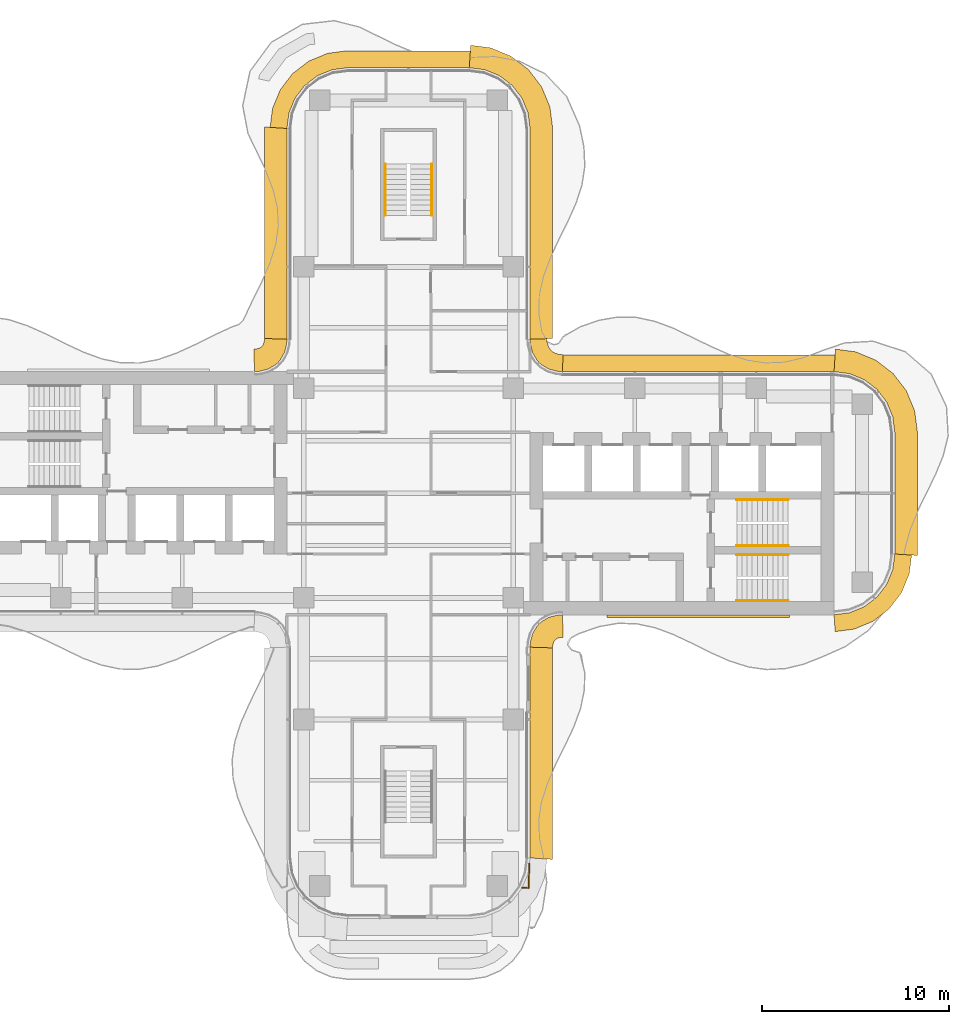
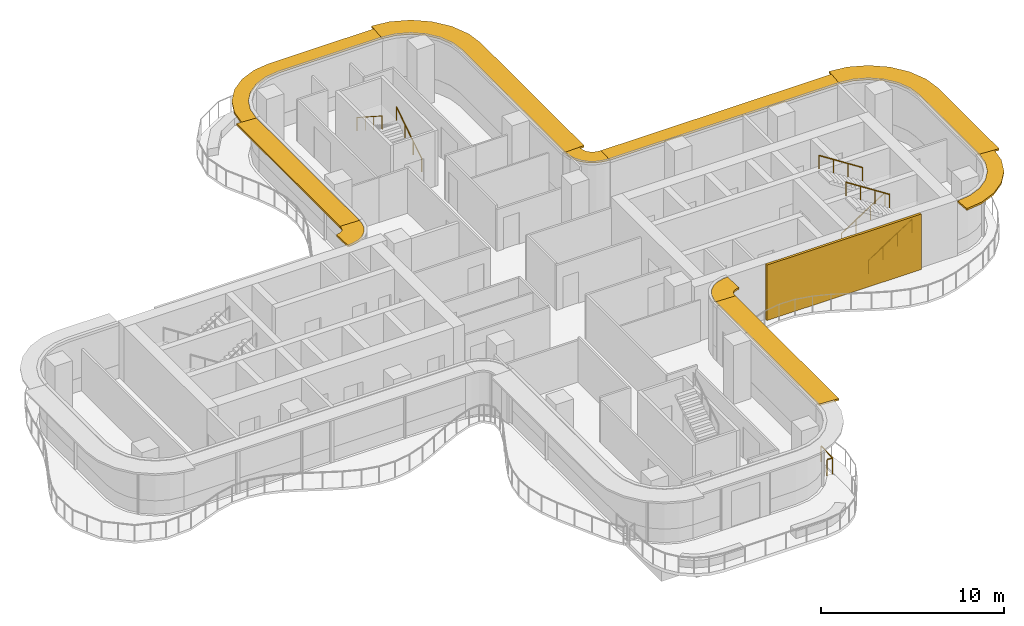
# One storey, part 17 of 17: 10 shading devices, 7 railings, 1 covering.
"""IFC4 building model written with IfcOpenShell, lengths in metres."""

from ifc_helpers import new_model, si_unit, direction, frame, origin, origin_2d, place, context, subcontext, project, spatial, polyline, rectangle, circle, outline, extrude, source, transform, mapped, material, layer, layer_set, type_object, element, save


model = new_model("IFC4")

# Units and contexts
model_context = context("Model", 3, precision=1e-05, world=origin(), true_north=direction((0.0, 1.0)))
body_context = subcontext(model_context, "Body", "Model", "MODEL_VIEW")
ifc_project = project(units=[si_unit("LENGTHUNIT", "METRE"), si_unit("AREAUNIT", "SQUARE_METRE"), si_unit("VOLUMEUNIT", "CUBIC_METRE"), si_unit("PLANEANGLEUNIT", "RADIAN"), si_unit("MASSUNIT", "GRAM", prefix="KILO")], contexts=[model_context])

# Site, building, storey
site_placement = place(None, origin())
site = spatial("IfcSite", under=ifc_project, at=site_placement, CompositionType="ELEMENT")
building_placement = place(site_placement, origin())
building = spatial("IfcBuilding", under=site, at=building_placement, Name="Trellis Farm Tower", CompositionType="ELEMENT")
storey_placement = place(building_placement, frame((0.0, 0.0, 244.10009765625)))
storey = spatial("IfcBuildingStorey", under=building, at=storey_placement, Name="L54", CompositionType="ELEMENT", Elevation=244.10009765625)

# Railings
ifc_material_1 = material(Name="Stainless steel 316", Category="steel")
railing_type_1 = type_object("IfcRailingType", Name="BALUSTRADE GUARD 1100", PredefinedType="GUARDRAIL", material=ifc_material_1)
railing_1_placement = place(storey_placement, frame((6.078369140625, -21.091552734375, 0.0)))
element("IfcRailing", 1, at=railing_1_placement, inside=storey, type_object=railing_type_1, Name="GD1 BAL-2", PredefinedType="GUARDRAIL", context=body_context, shape_type="SweptSolid", body=[
    extrude(rectangle(XDim=0.050048828125, YDim=0.050048828125, at=origin_2d()), frame((0.0, 0.0, 1.0751953125), z_axis=(0.998595991784, -0.052972117127, 0.0), x_axis=(0.052972117127, 0.998595991784, 0.0)), (0.0, 0.0, 1.0), 0.341064453125),
    extrude(rectangle(XDim=0.050048828125, YDim=0.050048828125, at=origin_2d()), frame((0.340576171875, -0.01806640625, 1.0751953125), z_axis=(0.031520064781, 0.999503119313, 0.0), x_axis=(-0.999503119313, 0.031520064781, 0.0)), (0.0, 0.0, 1.0), 1.30908203125),
    extrude(rectangle(XDim=0.0400390625, YDim=0.0400390625, at=origin_2d()), origin(), (0.0, 0.0, 1.0), 1.050048828125),
    extrude(rectangle(XDim=0.0400390625, YDim=0.0400390625, at=origin_2d()), frame((0.340576171875, -0.01806640625, 0.0)), (0.0, 0.0, 1.0), 1.050048828125),
    extrude(rectangle(XDim=0.0400390625, YDim=0.0400390625, at=origin_2d()), frame((0.3818359375, 1.290283203125, 0.0)), (0.0, 0.0, 1.0), 1.050048828125),
])
ifc_material_2 = material(Name="Stainless steel", Category="steel")
railing_type_2 = type_object("IfcRailingType", Name="STAIR HANDRAIL 900", PredefinedType="HANDRAIL", material=ifc_material_2)
shared_shape_1 = source(origin(), body_context, "Body", "SweptSolid", [
    extrude(circle(Radius=0.02392578125, at=origin_2d()), frame((0.0, 0.0, 0.8759765625), z_axis=(0.0, 0.840503830235, 0.541805602924), x_axis=(-1.0, 0.0, 0.0)), (0.0, 0.0, 1.0), 3.271728515625),
    extrude(circle(Radius=0.02099609375, at=origin_2d()), origin(), (0.0, 0.0, 1.0), 0.851806640625),
    extrude(circle(Radius=0.02099609375, at=origin_2d()), frame((0.0, 0.916748046875, 0.5908203125)), (0.0, 0.0, 1.0), 0.851806640625),
    extrude(circle(Radius=0.02099609375, at=origin_2d()), frame((0.0, 1.833251953125, 1.181884765625)), (0.0, 0.0, 1.0), 0.851806640625),
    extrude(circle(Radius=0.02099609375, at=origin_2d()), frame((0.0, 2.75, 1.772705078125)), (0.0, 0.0, 1.0), 0.851806640625),
])
railing_2_placement = place(storey_placement, frame((1.25, 14.85009765625, 0.17724609375)))
element("IfcRailing", 2, at=railing_2_placement, inside=storey, type_object=railing_type_2, Name="Stair handrail", PredefinedType="HANDRAIL", context=body_context, shape_type="MappedRepresentation", body=[
    mapped(shared_shape_1, transform((0.0, 0.0, 0.0))),
])
shared_shape_2 = source(origin(), body_context, "Body", "SweptSolid", [
    extrude(circle(Radius=0.02392578125, at=origin_2d()), frame((0.0, 0.0, 0.8759765625), z_axis=(0.0, -0.840503830235, 0.541805602924), x_axis=(1.0, 0.0, 0.0)), (0.0, 0.0, 1.0), 3.271728515625),
    extrude(circle(Radius=0.02099609375, at=origin_2d()), origin(), (0.0, 0.0, 1.0), 0.851806640625),
    extrude(circle(Radius=0.02099609375, at=origin_2d()), frame((0.0, -0.916748046875, 0.5908203125)), (0.0, 0.0, 1.0), 0.851806640625),
    extrude(circle(Radius=0.02099609375, at=origin_2d()), frame((0.0, -1.833251953125, 1.181884765625)), (0.0, 0.0, 1.0), 0.851806640625),
    extrude(circle(Radius=0.02099609375, at=origin_2d()), frame((0.0, -2.75, 1.772705078125)), (0.0, 0.0, 1.0), 0.851806640625),
])
railing_3_placement = place(storey_placement, frame((-1.25, 17.60009765625, 2.127197265625)))
element("IfcRailing", 3, at=railing_3_placement, inside=storey, type_object=railing_type_2, Name="Stair handrail", PredefinedType="HANDRAIL", context=body_context, shape_type="MappedRepresentation", body=[
    mapped(shared_shape_2, transform((0.0, 0.0, 0.0))),
])
shared_shape_3 = source(origin(), body_context, "Body", "SweptSolid", [
    extrude(circle(Radius=0.02392578125, at=origin_2d()), frame((0.0, 0.0, 0.8759765625), z_axis=(0.840503830235, 0.0, 0.541805602924), x_axis=(0.0, 1.0, 0.0)), (0.0, 0.0, 1.0), 3.271728515625),
    extrude(circle(Radius=0.02099609375, at=origin_2d()), origin(), (0.0, 0.0, 1.0), 0.851806640625),
    extrude(circle(Radius=0.02099609375, at=origin_2d()), frame((0.916748046875, 0.0, 0.5908203125)), (0.0, 0.0, 1.0), 0.851806640625),
    extrude(circle(Radius=0.02099609375, at=origin_2d()), frame((1.833251953125, 0.0, 1.181884765625)), (0.0, 0.0, 1.0), 0.851806640625),
    extrude(circle(Radius=0.02099609375, at=origin_2d()), frame((2.75, 0.0, 1.772705078125)), (0.0, 0.0, 1.0), 0.851806640625),
])
for number, where, name in (
    (4, (17.550048828125, -5.75, 0.17724609375), "Stair handrail"),
    (5, (17.550048828125, -2.800048828125, 0.17724609375), "Stair handrail"),
):
    element("IfcRailing", number, at=place(storey_placement, frame(where)), inside=storey, type_object=railing_type_2, Name=name, PredefinedType="HANDRAIL", context=body_context, shape_type="MappedRepresentation", body=[
        mapped(shared_shape_3, transform((0.0, 0.0, 0.0))),
    ])
shared_shape_4 = source(origin(), body_context, "Body", "SweptSolid", [
    extrude(circle(Radius=0.02392578125, at=origin_2d()), frame((0.0, 0.0, 0.8759765625), z_axis=(-0.840503830235, 0.0, 0.541805602924), x_axis=(0.0, -1.0, 0.0)), (0.0, 0.0, 1.0), 3.271728515625),
    extrude(circle(Radius=0.02099609375, at=origin_2d()), origin(), (0.0, 0.0, 1.0), 0.851806640625),
    extrude(circle(Radius=0.02099609375, at=origin_2d()), frame((-0.916748046875, 0.0, 0.5908203125)), (0.0, 0.0, 1.0), 0.851806640625),
    extrude(circle(Radius=0.02099609375, at=origin_2d()), frame((-1.833251953125, 0.0, 1.181884765625)), (0.0, 0.0, 1.0), 0.851806640625),
    extrude(circle(Radius=0.02099609375, at=origin_2d()), frame((-2.75, 0.0, 1.772705078125)), (0.0, 0.0, 1.0), 0.851806640625),
])
for number, where, name in (
    (6, (20.300048828125, -3.300048828125, 2.127197265625), "Stair handrail"),
    (7, (20.300048828125, -0.35009765625, 2.127197265625), "Stair handrail"),
):
    element("IfcRailing", number, at=place(storey_placement, frame(where)), inside=storey, type_object=railing_type_2, Name=name, PredefinedType="HANDRAIL", context=body_context, shape_type="MappedRepresentation", body=[
        mapped(shared_shape_4, transform((0.0, 0.0, 0.0))),
    ])

# Shading devices
ifc_material_3 = material(Name="Aluminium extrusion 6063-T6", Category="aluminium")
ifc_layer_1 = layer(ifc_material_3, 0.1201171875)
ifc_layer_set_1 = layer_set([ifc_layer_1], Name="SUNSHADE BLADE 1200")
shading_device_type_1 = type_object("IfcShadingDeviceType", Name="SUNSHADE BLADE 1200", PredefinedType="USERDEFINED", material=ifc_layer_set_1)
shared_shape_5 = source(origin(), body_context, "Body", "SweptSolid", [
    extrude(outline(polyline([(7.699951171875, -8.270751953125), (7.708740234375, -8.13720703125), (7.70703125, -8.150146484375), (7.7548828125, -7.9716796875), (7.80712890625, -7.881103515625), (7.881103515625, -7.80712890625), (7.9716796875, -7.7548828125), (8.150146484375, -7.70703125), (8.13720703125, -7.708740234375), (8.270751953125, -7.699951171875), (8.2314453125, -6.5), (8.01953125, -6.513916015625), (7.91552734375, -6.527587890625), (7.508544921875, -6.63671875), (7.144287109375, -6.846923828125), (6.846923828125, -7.144287109375), (6.63671875, -7.508544921875), (6.527587890625, -7.91552734375), (6.513916015625, -8.01953125), (6.5, -8.2314453125), (7.699951171875, -8.270751953125)])), origin(), (0.0, 0.0, 1.0), 0.1201171875),
])
placement = place(storey_placement, frame((0.0, 0.0, 3.539794921875)))
element("IfcShadingDevice", 8, at=placement, inside=storey, type_object=shading_device_type_1, Name="SD2 006", ObjectType="SUNSHADE", PredefinedType="USERDEFINED", context=body_context, shape_type="MappedRepresentation", body=[
    mapped(shared_shape_5, transform((0.0, 0.0, 0.0))),
])
ifc_layer_2 = layer(ifc_material_3, 0.1201171875)
ifc_layer_set_2 = layer_set([ifc_layer_2], Name="SUNSHADE BLADE 900")
shading_device_type_2 = type_object("IfcShadingDeviceType", Name="SUNSHADE BLADE 900", PredefinedType="USERDEFINED", material=ifc_layer_set_2)
shared_shape_6 = source(origin(), body_context, "Body", "SweptSolid", [
    extrude(outline(polyline([(8.2607421875, 7.39990234375), (8.107666015625, 7.409912109375), (8.091552734375, 7.412109375), (7.85595703125, 7.475341796875), (7.697021484375, 7.567138671875), (7.567138671875, 7.697021484375), (7.475341796875, 7.85595703125), (7.412109375, 8.091552734375), (7.409912109375, 8.107666015625), (7.39990234375, 8.2607421875), (6.5, 8.2314453125), (6.513916015625, 8.01953125), (6.527587890625, 7.91552734375), (6.63671875, 7.508544921875), (6.846923828125, 7.144287109375), (7.144287109375, 6.846923828125), (7.508544921875, 6.63671875), (7.91552734375, 6.527587890625), (8.01953125, 6.513916015625), (8.2314453125, 6.5), (8.2607421875, 7.39990234375)])), origin(), (0.0, 0.0, 1.0), 0.1201171875),
])
element("IfcShadingDevice", 9, at=placement, inside=storey, type_object=shading_device_type_2, Name="SD1 010", ObjectType="SUNSHADE", PredefinedType="USERDEFINED", context=body_context, shape_type="MappedRepresentation", body=[
    mapped(shared_shape_6, transform((0.0, 0.0, 0.0))),
])
shared_shape_7 = source(origin(), body_context, "Body", "SweptSolid", [
    extrude(outline(polyline([(-7.699951171875, 8.270751953125), (-7.708740234375, 8.13720703125), (-7.70703125, 8.150146484375), (-7.7548828125, 7.9716796875), (-7.80712890625, 7.881103515625), (-7.881103515625, 7.80712890625), (-7.9716796875, 7.7548828125), (-8.150146484375, 7.70703125), (-8.13720703125, 7.708740234375), (-8.270751953125, 7.699951171875), (-8.2314453125, 6.5), (-8.01953125, 6.513916015625), (-7.91552734375, 6.527587890625), (-7.508544921875, 6.63671875), (-7.144287109375, 6.846923828125), (-6.846923828125, 7.144287109375), (-6.63671875, 7.508544921875), (-6.527587890625, 7.91552734375), (-6.513916015625, 8.01953125), (-6.5, 8.2314453125), (-7.699951171875, 8.270751953125)])), origin(), (0.0, 0.0, 1.0), 0.1201171875),
])
element("IfcShadingDevice", 10, at=placement, inside=storey, type_object=shading_device_type_1, Name="SD2 014", ObjectType="SUNSHADE", PredefinedType="USERDEFINED", context=body_context, shape_type="MappedRepresentation", body=[
    mapped(shared_shape_7, transform((0.0, 0.0, 0.0))),
])
shared_shape_8 = source(origin(), body_context, "Body", "SweptSolid", [
    extrude(outline(polyline([(7.699951171875, 8.270751953125), (7.699951171875, 19.57861328125), (7.558349609375, 20.654541015625), (7.11279296875, 21.730224609375), (6.404052734375, 22.654052734375), (5.480224609375, 23.36279296875), (4.404541015625, 23.808349609375), (3.32861328125, 23.949951171875), (3.25, 22.75), (4.091064453125, 22.63916015625), (4.875, 22.314697265625), (5.548095703125, 21.798095703125), (6.064697265625, 21.125), (6.38916015625, 20.341064453125), (6.5, 19.5), (6.5, 8.2314453125), (7.699951171875, 8.270751953125)])), origin(), (0.0, 0.0, 1.0), 0.1201171875),
])
element("IfcShadingDevice", 11, at=placement, inside=storey, type_object=shading_device_type_1, Name="SD2 011", ObjectType="SUNSHADE", PredefinedType="USERDEFINED", context=body_context, shape_type="MappedRepresentation", body=[
    mapped(shared_shape_8, transform((0.0, 0.0, 0.0))),
])
shared_shape_9 = source(origin(), body_context, "Body", "SweptSolid", [
    extrude(outline(polyline([(3.30908203125, 23.64990234375), (-3.30908203125, 23.64990234375), (-4.326171875, 23.51611328125), (-5.328857421875, 23.100830078125), (-6.18994140625, 22.43994140625), (-6.850830078125, 21.578857421875), (-7.26611328125, 20.576171875), (-7.39990234375, 19.55908203125), (-6.5, 19.5), (-6.38916015625, 20.341064453125), (-6.064697265625, 21.125), (-5.548095703125, 21.798095703125), (-4.875, 22.314697265625), (-4.091064453125, 22.63916015625), (-3.25, 22.75), (3.25, 22.75), (3.30908203125, 23.64990234375)])), origin(), (0.0, 0.0, 1.0), 0.1201171875),
])
element("IfcShadingDevice", 12, at=placement, inside=storey, type_object=shading_device_type_2, Name="SD1 012", ObjectType="SUNSHADE", PredefinedType="USERDEFINED", context=body_context, shape_type="MappedRepresentation", body=[
    mapped(shared_shape_9, transform((0.0, 0.0, 0.0))),
])
shared_shape_10 = source(origin(), body_context, "Body", "SweptSolid", [
    extrude(outline(polyline([(-7.699951171875, 19.57861328125), (-7.699951171875, 8.270751953125), (-6.5, 8.2314453125), (-6.5, 19.5), (-7.699951171875, 19.57861328125)])), origin(), (0.0, 0.0, 1.0), 0.1201171875),
])
element("IfcShadingDevice", 13, at=placement, inside=storey, type_object=shading_device_type_1, Name="SD2 013", ObjectType="SUNSHADE", PredefinedType="USERDEFINED", context=body_context, shape_type="MappedRepresentation", body=[
    mapped(shared_shape_10, transform((0.0, 0.0, 0.0))),
])
shared_shape_11 = source(origin(), body_context, "Body", "SweptSolid", [
    extrude(outline(polyline([(22.80908203125, -7.39990234375), (23.826171875, -7.26611328125), (24.828857421875, -6.850830078125), (25.68994140625, -6.18994140625), (26.350830078125, -5.328857421875), (26.76611328125, -4.326171875), (26.89990234375, -3.30908203125), (26.0, -3.25), (25.88916015625, -4.091064453125), (25.564697265625, -4.875), (25.048095703125, -5.548095703125), (24.375, -6.064697265625), (23.591064453125, -6.38916015625), (22.75, -6.5), (22.80908203125, -7.39990234375)])), origin(), (0.0, 0.0, 1.0), 0.1201171875),
])
element("IfcShadingDevice", 14, at=placement, inside=storey, type_object=shading_device_type_2, Name="SD1 007", ObjectType="SUNSHADE", PredefinedType="USERDEFINED", context=body_context, shape_type="MappedRepresentation", body=[
    mapped(shared_shape_11, transform((0.0, 0.0, 0.0))),
])
shared_shape_12 = source(origin(), body_context, "Body", "SweptSolid", [
    extrude(outline(polyline([(27.199951171875, -3.32861328125), (27.199951171875, 3.32861328125), (27.058349609375, 4.404541015625), (26.61279296875, 5.480224609375), (25.904052734375, 6.404052734375), (24.980224609375, 7.11279296875), (23.904541015625, 7.558349609375), (22.82861328125, 7.699951171875), (22.75, 6.5), (23.591064453125, 6.38916015625), (24.375, 6.064697265625), (25.048095703125, 5.548095703125), (25.564697265625, 4.875), (25.88916015625, 4.091064453125), (26.0, 3.25), (26.0, -3.25), (27.199951171875, -3.32861328125)])), origin(), (0.0, 0.0, 1.0), 0.1201171875),
])
element("IfcShadingDevice", 15, at=placement, inside=storey, type_object=shading_device_type_1, Name="SD2 008", ObjectType="SUNSHADE", PredefinedType="USERDEFINED", context=body_context, shape_type="MappedRepresentation", body=[
    mapped(shared_shape_12, transform((0.0, 0.0, 0.0))),
])
shared_shape_13 = source(origin(), body_context, "Body", "SweptSolid", [
    extrude(outline(polyline([(22.80908203125, 7.39990234375), (8.2607421875, 7.39990234375), (8.2314453125, 6.5), (22.75, 6.5), (22.80908203125, 7.39990234375)])), origin(), (0.0, 0.0, 1.0), 0.1201171875),
])
element("IfcShadingDevice", 16, at=placement, inside=storey, type_object=shading_device_type_2, Name="SD1 009", ObjectType="SUNSHADE", PredefinedType="USERDEFINED", context=body_context, shape_type="MappedRepresentation", body=[
    mapped(shared_shape_13, transform((0.0, 0.0, 0.0))),
])

# Covering
ifc_material_4 = material(Name="Perforated precast screen (cobogo)", Category="concrete")
ifc_layer_3 = layer(ifc_material_4, 0.14990234375)
ifc_layer_set_3 = layer_set([ifc_layer_3], Name="COBOGO SCREEN PANEL")
covering_type = type_object("IfcCoveringType", Name="COBOGO SCREEN PANEL", PredefinedType="USERDEFINED", material=ifc_layer_set_3)
shared_shape_14 = source(origin(), body_context, "Body", "SweptSolid", [
    extrude(outline(polyline([(10.61572265625, -6.64990234375), (20.36572265625, -6.64990234375), (20.36572265625, -6.5), (10.61572265625, -6.5), (10.61572265625, -6.64990234375)])), origin(), (0.0, 0.0, 1.0), 3.699951171875),
])
covering_placement = place(storey_placement, origin())
element("IfcCovering", 17, at=covering_placement, inside=storey, type_object=covering_type, Name="SC1 01", ObjectType="SCREEN", PredefinedType="USERDEFINED", context=body_context, shape_type="MappedRepresentation", body=[
    mapped(shared_shape_14, transform((0.0, 0.0, 0.0))),
])

# Shading device
shared_shape_15 = source(origin(), body_context, "Body", "SweptSolid", [
    extrude(outline(polyline([(7.699951171875, -19.57861328125), (7.699951171875, -8.270751953125), (6.5, -8.2314453125), (6.5, -19.5), (7.699951171875, -19.57861328125)])), origin(), (0.0, 0.0, 1.0), 0.1201171875),
])
element("IfcShadingDevice", 18, at=placement, inside=storey, type_object=shading_device_type_1, Name="SD2 005", ObjectType="SUNSHADE", PredefinedType="USERDEFINED", context=body_context, shape_type="MappedRepresentation", body=[
    mapped(shared_shape_15, transform((0.0, 0.0, 0.0))),
])

save(model, "model.ifc")
